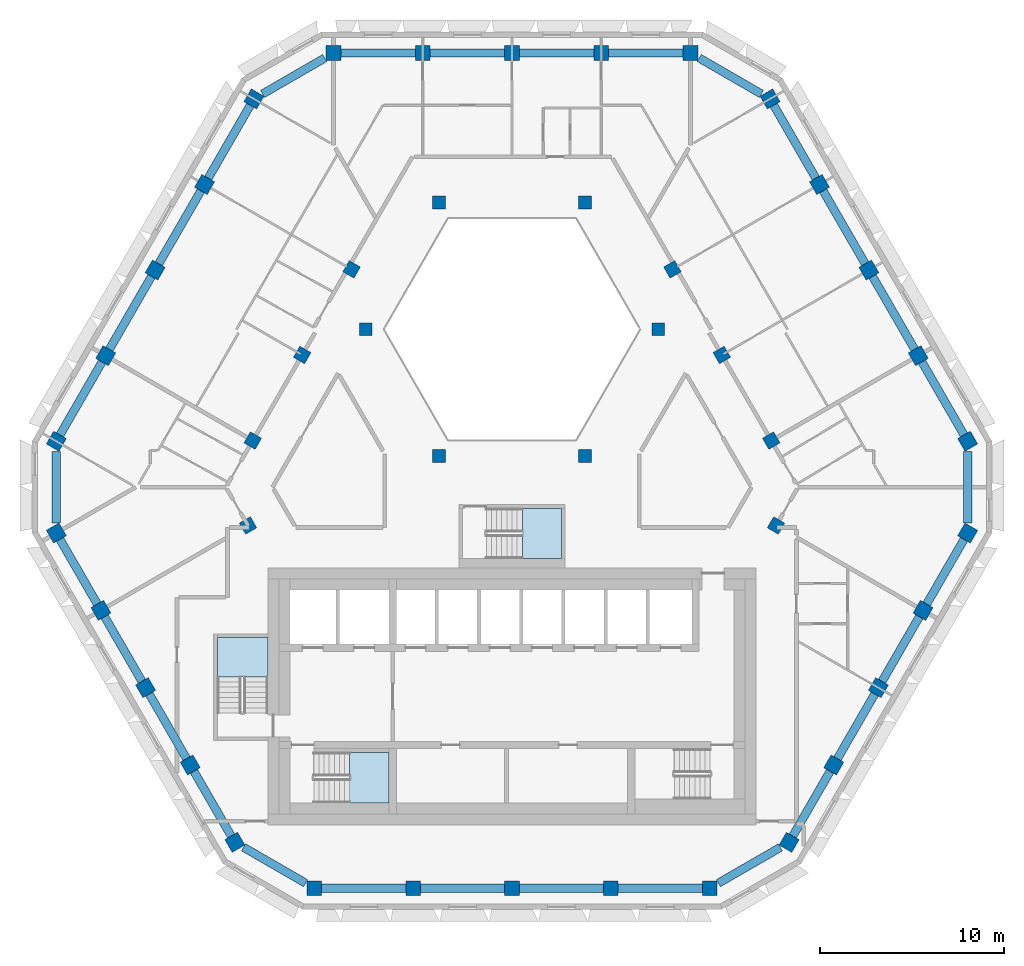
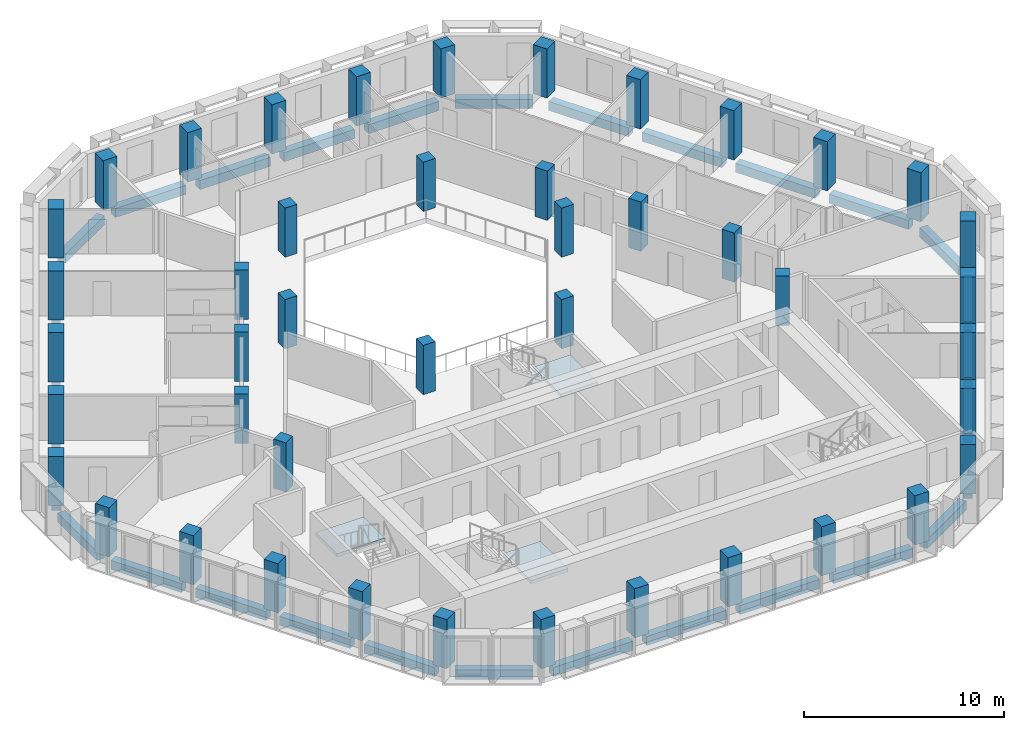
# One storey, part 1 of 14: 44 columns, 30 beams, 3 slabs, 3 elements without a shape of their own.
"""IFC4 building model written with IfcOpenShell, lengths in metres."""

from ifc_helpers import new_model, si_unit, direction, frame, origin, origin_2d, place, context, subcontext, project, spatial, polyline, rectangle, outline, extrude, material, layer, layer_set, material_profile, profile_set, type_object, element, aggregate, save


model = new_model("IFC4")

# Units and contexts
model_context = context("Model", 3, precision=1e-05, world=origin(), true_north=direction((0.0, 1.0)))
body_context = subcontext(model_context, "Body", "Model", "MODEL_VIEW")
ifc_project = project(units=[si_unit("LENGTHUNIT", "METRE"), si_unit("AREAUNIT", "SQUARE_METRE"), si_unit("VOLUMEUNIT", "CUBIC_METRE"), si_unit("PLANEANGLEUNIT", "RADIAN"), si_unit("MASSUNIT", "GRAM", prefix="KILO")], contexts=[model_context])

# Site, building, storey
site_placement = place(None, origin())
site = spatial("IfcSite", under=ifc_project, at=site_placement, CompositionType="ELEMENT")
building_placement = place(site_placement, origin())
building = spatial("IfcBuilding", under=site, at=building_placement, Name="Beryl Residences", CompositionType="ELEMENT")
storey_placement = place(building_placement, frame((0.0, 0.0, 181.199951171875)))
storey = spatial("IfcBuildingStorey", under=building, at=storey_placement, Name="L55", CompositionType="ELEMENT", Elevation=181.199951171875)

# Columns
ifc_material_1 = material(Name="Concrete C50/60", Category="concrete")
ifc_material_profile_1 = material_profile(ifc_material_1, rectangle(XDim=0.800048828125, YDim=0.800048828125, at=origin_2d()))
ifc_profile_set_1 = profile_set([ifc_material_profile_1], Name="Concrete C50/60")
column_type_1 = type_object("IfcColumnType", Name="C4 tube column 800 x 800 C50/60", PredefinedType="COLUMN", material=ifc_profile_set_1)
for number, where, z_axis, x_axis, name in (
    (1, (9.72802734375, 23.050048828125, 0.0), (0.0, 0.0, 1.0), (-1.0, 0.0, 0.0), "C4-N1 L55"),
    (2, (4.864013671875, 23.050048828125, 0.0), (0.0, 0.0, 1.0), (-1.0, 0.0, 0.0), "C4-N2 L55"),
    (3, (0.0, 23.050048828125, 0.0), (0.0, 0.0, 1.0), (-1.0, 0.0, 0.0), "C4-N3 L55"),
    (4, (-4.864013671875, 23.050048828125, 0.0), (0.0, 0.0, 1.0), (-1.0, 0.0, 0.0), "C4-N4 L55"),
    (5, (-9.72802734375, 23.050048828125, 0.0), (0.0, 0.0, 1.0), (-1.0, 0.0, 0.0), "C4-N5 L55"),
    (6, (-14.05810546875, 20.550048828125, 0.0), (0.0, 0.0, 1.0), (-0.5, -0.866025403784, 0.0), "C4-NW1 L55"),
    (7, (-16.75, 15.887939453125, 0.0), (0.0, 0.0, 1.0), (-0.5, -0.866025403784, 0.0), "C4-NW2 L55"),
    (8, (-19.44189453125, 11.22509765625, 0.0), (0.0, 0.0, 1.0), (-0.5, -0.866025403784, 0.0), "C4-NW3 L55"),
    (9, (-22.134033203125, 6.56201171875, 0.0), (0.0, 0.0, 1.0), (-0.5, -0.866025403784, 0.0), "C4-NW4 L55"),
    (10, (-24.825927734375, 1.89990234375, 0.0), (0.0, 0.0, 1.0), (-0.5, -0.866025403784, 0.0), "C4-NW5 L55"),
    (11, (-24.825927734375, -3.09912109375, 0.0), (0.0, 0.0, 1.0), (0.5, -0.866025403784, 0.0), "C4-SW1 L55"),
    (12, (-22.39404296875, -7.31201171875, 0.0), (0.0, 0.0, 1.0), (0.5, -0.866025403784, 0.0), "C4-SW2 L55"),
    (13, (-19.9619140625, -11.52392578125, 0.0), (0.0, 0.0, 1.0), (0.5, -0.866025403784, 0.0), "C4-SW3 L55"),
    (14, (-17.530029296875, -15.736083984375, 0.0), (0.0, 0.0, 1.0), (0.5, -0.866025403784, 0.0), "C4-SW4 L55"),
    (15, (-15.097900390625, -19.948974609375, 0.0), (0.0, 0.0, 1.0), (0.5, -0.866025403784, 0.0), "C4-SW5 L55"),
    (16, (-10.76708984375, -22.449951171875, 0.0), (0.0, 0.0, 1.0), (1.0, 0.0, 0.0), "C4-S1 L55"),
    (17, (-5.383056640625, -22.449951171875, 0.0), (0.0, 0.0, 1.0), (1.0, 0.0, 0.0), "C4-S2 L55"),
    (18, (0.0009765625, -22.449951171875, 0.0), (0.0, 0.0, 1.0), (1.0, 0.0, 0.0), "C4-S3 L55"),
    (19, (5.385009765625, -22.449951171875, 0.0), (0.0, 0.0, 1.0), (1.0, 0.0, 0.0), "C4-S4 L55"),
    (20, (10.76904296875, -22.449951171875, 0.0), (0.0, 0.0, 1.0), (1.0, 0.0, 0.0), "C4-S5 L55"),
    (21, (15.096923828125, -19.950927734375, 0.0), (0.0, 0.0, 1.0), (0.5, 0.866025403784, 0.0), "C4-SE1 L55"),
    (22, (17.529052734375, -15.738037109375, 0.0), (0.0, 0.0, 1.0), (0.5, 0.866025403784, 0.0), "C4-SE2 L55"),
    (23, (19.9609375, -11.52587890625, 0.0), (0.0, 0.0, 1.0), (0.5, 0.866025403784, 0.0), "C4-SE3 L55"),
    (24, (22.39306640625, -7.31396484375, 0.0), (0.0, 0.0, 1.0), (0.5, 0.866025403784, 0.0), "C4-SE4 L55"),
    (25, (24.824951171875, -3.10107421875, 0.0), (0.0, 0.0, 1.0), (0.5, 0.866025403784, 0.0), "C4-SE5 L55"),
    (26, (24.825927734375, 1.89990234375, 0.0), (0.0, 0.0, 1.0), (-0.5, 0.866025403784, 0.0), "C4-NE1 L55"),
    (27, (22.134033203125, 6.56201171875, 0.0), (0.0, 0.0, 1.0), (-0.5, 0.866025403784, 0.0), "C4-NE2 L55"),
    (28, (19.44189453125, 11.22509765625, 0.0), (0.0, 0.0, 1.0), (-0.5, 0.866025403784, 0.0), "C4-NE3 L55"),
    (29, (16.75, 15.887939453125, 0.0), (0.0, 0.0, 1.0), (-0.5, 0.866025403784, 0.0), "C4-NE4 L55"),
    (30, (14.05810546875, 20.550048828125, 0.0), (0.0, 0.0, 1.0), (-0.5, 0.866025403784, 0.0), "C4-NE5 L55"),
):
    element("IfcColumn", number, at=place(storey_placement, frame(where, z_axis=z_axis, x_axis=x_axis)), inside=storey, type_object=column_type_1, Name=name, PredefinedType="COLUMN", context=body_context, shape_type="SweptSolid", body=[
        extrude(rectangle(XDim=0.800048828125, YDim=0.800048828125, at=origin_2d()), origin(), (0.0, 0.0, 1.0), 3.0),
    ])
ifc_material_2 = material(Name="Concrete C50/60", Category="concrete")
ifc_material_profile_2 = material_profile(ifc_material_2, rectangle(XDim=0.699951171875, YDim=0.699951171875, at=origin_2d()))
ifc_profile_set_2 = profile_set([ifc_material_profile_2], Name="Concrete C50/60")
column_type_2 = type_object("IfcColumnType", Name="IC4 interior column 700 x 700 C50/60", PredefinedType="COLUMN", material=ifc_profile_set_2)
for number, where, z_axis, x_axis, name in (
    (31, (-14.383056640625, -2.68701171875, 0.0), (0.0, 0.0, 1.0), (0.5, -0.866025403784, 0.0), "IC4-M01 L55"),
    (32, (14.382080078125, -2.68896484375, 0.0), (0.0, 0.0, 1.0), (0.5, 0.866025403784, 0.0), "IC4-M02 L55"),
    (33, (14.123046875, 1.93701171875, 0.0), (0.0, 0.0, 1.0), (-0.5, 0.866025403784, 0.0), "IC4-M03 L55"),
    (34, (3.98388671875, 1.10009765625, 0.0), (0.0, 0.0, 1.0), (1.0, 0.0, 0.0), "IC4-A04 L55"),
    (35, (11.430908203125, 6.60009765625, 0.0), (0.0, 0.0, 1.0), (-0.5, 0.866025403784, 0.0), "IC4-M05 L55"),
    (36, (7.967041015625, 8.0, 0.0), (0.0, 0.0, 1.0), (1.0, 0.0, 0.0), "IC4-A06 L55"),
    (37, (8.739013671875, 11.262939453125, 0.0), (0.0, 0.0, 1.0), (-0.5, 0.866025403784, 0.0), "IC4-M07 L55"),
    (38, (3.98388671875, 14.89990234375, 0.0), (0.0, 0.0, 1.0), (1.0, 0.0, 0.0), "IC4-A08 L55"),
    (39, (-3.98388671875, 14.89990234375, 0.0), (0.0, 0.0, 1.0), (1.0, 0.0, 0.0), "IC4-A09 L55"),
    (40, (-8.739013671875, 11.262939453125, 0.0), (0.0, 0.0, 1.0), (-0.5, -0.866025403784, 0.0), "IC4-M10 L55"),
    (41, (-7.967041015625, 8.0, 0.0), (0.0, 0.0, 1.0), (1.0, 0.0, 0.0), "IC4-A11 L55"),
    (42, (-11.430908203125, 6.60009765625, 0.0), (0.0, 0.0, 1.0), (-0.5, -0.866025403784, 0.0), "IC4-M12 L55"),
    (43, (-3.98388671875, 1.10009765625, 0.0), (0.0, 0.0, 1.0), (1.0, 0.0, 0.0), "IC4-A13 L55"),
    (44, (-14.123046875, 1.93701171875, 0.0), (0.0, 0.0, 1.0), (-0.5, -0.866025403784, 0.0), "IC4-M14 L55"),
):
    element("IfcColumn", number, at=place(storey_placement, frame(where, z_axis=z_axis, x_axis=x_axis)), inside=storey, type_object=column_type_2, Name=name, PredefinedType="COLUMN", context=body_context, shape_type="SweptSolid", body=[
        extrude(rectangle(XDim=0.699951171875, YDim=0.699951171875, at=origin_2d()), origin(), (0.0, 0.0, 1.0), 3.0),
    ])

# Beams
ifc_material_3 = material(Name="Concrete C50/60", Category="concrete")
ifc_material_profile_3 = material_profile(ifc_material_3, rectangle(XDim=0.449951171875, YDim=0.550048828125, at=origin_2d()))
ifc_profile_set_3 = profile_set([ifc_material_profile_3], Name="Concrete C50/60")
beam_type = type_object("IfcBeamType", Name="SB4 spandrel beam 450 x 550 C50/60", PredefinedType="SPANDREL", material=ifc_profile_set_3)
beam_1_placement = place(storey_placement, frame((9.327880859375, 23.050048828125, -0.574951171875), z_axis=(-1.0, 0.0, 0.0), x_axis=(0.0, -1.0, 0.0)))
element("IfcBeam", 45, at=beam_1_placement, inside=storey, type_object=beam_type, Name="SB4 L55 N-0", PredefinedType="SPANDREL", context=body_context, shape_type="SweptSolid", body=[
    extrude(rectangle(XDim=0.449951171875, YDim=0.550048828125, at=origin_2d()), origin(), (0.0, 0.0, 1.0), 4.06396484375),
])
for number, where, z_axis, x_axis, name in (
    (46, (4.464111328125, 23.050048828125, -0.574951171875), (-1.0, 0.0, 0.0), (0.0, -1.0, 0.0), "SB4 L55 N-1"),
    (47, (-0.39990234375, 23.050048828125, -0.574951171875), (-1.0, 0.0, 0.0), (0.0, -1.0, 0.0), "SB4 L55 N-2"),
):
    element("IfcBeam", number, at=place(storey_placement, frame(where, z_axis=z_axis, x_axis=x_axis)), inside=storey, type_object=beam_type, Name=name, PredefinedType="SPANDREL", context=body_context, shape_type="SweptSolid", body=[
        extrude(rectangle(XDim=0.449951171875, YDim=0.550048828125, at=origin_2d()), origin(), (0.0, 0.0, 1.0), 4.064208984375),
    ])
beam_2_placement = place(storey_placement, frame((-5.263916015625, 23.050048828125, -0.574951171875), z_axis=(-1.0, 0.0, 0.0), x_axis=(0.0, -1.0, 0.0)))
element("IfcBeam", 48, at=beam_2_placement, inside=storey, type_object=beam_type, Name="SB4 L55 N-3", PredefinedType="SPANDREL", context=body_context, shape_type="SweptSolid", body=[
    extrude(rectangle(XDim=0.449951171875, YDim=0.550048828125, at=origin_2d()), origin(), (0.0, 0.0, 1.0), 4.06396484375),
])
beam_3_placement = place(storey_placement, frame((-10.200927734375, 22.777099609375, -0.574951171875), z_axis=(-0.865988935984, -0.500063158763, 0.0), x_axis=(0.500063158763, -0.865988935984, 0.0)))
element("IfcBeam", 49, at=beam_3_placement, inside=storey, type_object=beam_type, Name="SB4 L55 N-4", PredefinedType="SPANDREL", context=body_context, shape_type="SweptSolid", body=[
    extrude(rectangle(XDim=0.449951171875, YDim=0.550048828125, at=origin_2d()), origin(), (0.0, 0.0, 1.0), 3.90771484375),
])
beam_4_placement = place(storey_placement, frame((-14.258056640625, 20.2041015625, -0.574951171875), z_axis=(-0.499965247104, -0.866045467449, 0.0), x_axis=(0.866045467449, -0.499965247104, 0.0)))
element("IfcBeam", 50, at=beam_4_placement, inside=storey, type_object=beam_type, Name="SB4 L55 NW-0", PredefinedType="SPANDREL", context=body_context, shape_type="SweptSolid", body=[
    extrude(rectangle(XDim=0.449951171875, YDim=0.550048828125, at=origin_2d()), origin(), (0.0, 0.0, 1.0), 4.584228515625),
])
for number, where, z_axis, x_axis, name in (
    (51, (-16.949951171875, 15.5419921875, -0.574951171875), (-0.499896077001, -0.866085395443, 0.0), (0.866085395443, -0.499896077001, 0.0), "SB4 L55 NW-1"),
    (52, (-19.64208984375, 10.87890625, -0.574951171875), (-0.499896077001, -0.866085395443, 0.0), (0.866085395443, -0.499896077001, 0.0), "SB4 L55 NW-2"),
):
    element("IfcBeam", number, at=place(storey_placement, frame(where, z_axis=z_axis, x_axis=x_axis)), inside=storey, type_object=beam_type, Name=name, PredefinedType="SPANDREL", context=body_context, shape_type="SweptSolid", body=[
        extrude(rectangle(XDim=0.449951171875, YDim=0.550048828125, at=origin_2d()), origin(), (0.0, 0.0, 1.0), 4.5849609375),
    ])
beam_5_placement = place(storey_placement, frame((-22.333984375, 6.216064453125, -0.574951171875), z_axis=(-0.49998830735, -0.866032154434, 0.0), x_axis=(0.866032154434, -0.49998830735, 0.0)))
element("IfcBeam", 53, at=beam_5_placement, inside=storey, type_object=beam_type, Name="SB4 L55 NW-3", PredefinedType="SPANDREL", context=body_context, shape_type="SweptSolid", body=[
    extrude(rectangle(XDim=0.449951171875, YDim=0.550048828125, at=origin_2d()), origin(), (0.0, 0.0, 1.0), 4.583984375),
])
beam_6_placement = place(storey_placement, frame((-24.825927734375, 1.35400390625, -0.574951171875), z_axis=(0.0, -1.0, 0.0), x_axis=(1.0, 0.0, 0.0)))
element("IfcBeam", 54, at=beam_6_placement, inside=storey, type_object=beam_type, Name="SB4 L55 NW-4", PredefinedType="SPANDREL", context=body_context, shape_type="SweptSolid", body=[
    extrude(rectangle(XDim=0.449951171875, YDim=0.550048828125, at=origin_2d()), origin(), (0.0, 0.0, 1.0), 3.906982421875),
])
beam_7_placement = place(storey_placement, frame((-24.6259765625, -3.445068359375, -0.574951171875), z_axis=(0.499840293234, -0.866117590896, 0.0), x_axis=(0.866117590896, 0.499840293234, 0.0)))
element("IfcBeam", 55, at=beam_7_placement, inside=storey, type_object=beam_type, Name="SB4 L55 SW-0", PredefinedType="SPANDREL", context=body_context, shape_type="SweptSolid", body=[
    extrude(rectangle(XDim=0.449951171875, YDim=0.550048828125, at=origin_2d()), origin(), (0.0, 0.0, 1.0), 4.065185546875),
])
beam_8_placement = place(storey_placement, frame((-22.194091796875, -7.657958984375, -0.574951171875), z_axis=(0.499944307952, -0.866057555216, 0.0), x_axis=(0.866057555216, 0.499944307952, 0.0)))
element("IfcBeam", 56, at=beam_8_placement, inside=storey, type_object=beam_type, Name="SB4 L55 SW-1", PredefinedType="SPANDREL", context=body_context, shape_type="SweptSolid", body=[
    extrude(rectangle(XDim=0.449951171875, YDim=0.550048828125, at=origin_2d()), origin(), (0.0, 0.0, 1.0), 4.064453125),
])
beam_9_placement = place(storey_placement, frame((-19.761962890625, -11.8701171875, -0.574951171875), z_axis=(0.499970317269, -0.866042540439, 0.0), x_axis=(0.866042540439, 0.499970317269, 0.0)))
element("IfcBeam", 57, at=beam_9_placement, inside=storey, type_object=beam_type, Name="SB4 L55 SW-2", PredefinedType="SPANDREL", context=body_context, shape_type="SweptSolid", body=[
    extrude(rectangle(XDim=0.449951171875, YDim=0.550048828125, at=origin_2d()), origin(), (0.0, 0.0, 1.0), 4.064208984375),
])
beam_10_placement = place(storey_placement, frame((-17.330078125, -16.08203125, -0.574951171875), z_axis=(0.499840293234, -0.866117590896, 0.0), x_axis=(0.866117590896, 0.499840293234, 0.0)))
element("IfcBeam", 58, at=beam_10_placement, inside=storey, type_object=beam_type, Name="SB4 L55 SW-3", PredefinedType="SPANDREL", context=body_context, shape_type="SweptSolid", body=[
    extrude(rectangle(XDim=0.449951171875, YDim=0.550048828125, at=origin_2d()), origin(), (0.0, 0.0, 1.0), 4.065185546875),
])
beam_11_placement = place(storey_placement, frame((-14.625, -20.221923828125, -0.574951171875), z_axis=(0.865943218558, -0.500142321977, 0.0), x_axis=(0.500142321977, 0.865943218558, 0.0)))
element("IfcBeam", 59, at=beam_11_placement, inside=storey, type_object=beam_type, Name="SB4 L55 SW-4", PredefinedType="SPANDREL", context=body_context, shape_type="SweptSolid", body=[
    extrude(rectangle(XDim=0.449951171875, YDim=0.550048828125, at=origin_2d()), origin(), (0.0, 0.0, 1.0), 3.908935546875),
])
for number, where, z_axis, x_axis, name in (
    (60, (-10.366943359375, -22.449951171875, -0.574951171875), (1.0, 0.0, 0.0), (0.0, 1.0, 0.0), "SB4 L55 S-0"),
    (61, (-4.98291015625, -22.449951171875, -0.574951171875), (1.0, 0.0, 0.0), (0.0, 1.0, 0.0), "SB4 L55 S-1"),
):
    element("IfcBeam", number, at=place(storey_placement, frame(where, z_axis=z_axis, x_axis=x_axis)), inside=storey, type_object=beam_type, Name=name, PredefinedType="SPANDREL", context=body_context, shape_type="SweptSolid", body=[
        extrude(rectangle(XDim=0.449951171875, YDim=0.550048828125, at=origin_2d()), origin(), (0.0, 0.0, 1.0), 4.583984375),
    ])
beam_12_placement = place(storey_placement, frame((0.40087890625, -22.449951171875, -0.574951171875), z_axis=(1.0, 0.0, 0.0), x_axis=(0.0, 1.0, 0.0)))
element("IfcBeam", 62, at=beam_12_placement, inside=storey, type_object=beam_type, Name="SB4 L55 S-2", PredefinedType="SPANDREL", context=body_context, shape_type="SweptSolid", body=[
    extrude(rectangle(XDim=0.449951171875, YDim=0.550048828125, at=origin_2d()), origin(), (0.0, 0.0, 1.0), 4.584228515625),
])
beam_13_placement = place(storey_placement, frame((5.784912109375, -22.449951171875, -0.574951171875), z_axis=(1.0, 0.0, 0.0), x_axis=(0.0, 1.0, 0.0)))
element("IfcBeam", 63, at=beam_13_placement, inside=storey, type_object=beam_type, Name="SB4 L55 S-3", PredefinedType="SPANDREL", context=body_context, shape_type="SweptSolid", body=[
    extrude(rectangle(XDim=0.449951171875, YDim=0.550048828125, at=origin_2d()), origin(), (0.0, 0.0, 1.0), 4.583984375),
])
beam_14_placement = place(storey_placement, frame((11.241943359375, -22.177001953125, -0.574951171875), z_axis=(0.865999234303, 0.500045324131, 0.0), x_axis=(-0.500045324131, 0.865999234303, 0.0)))
element("IfcBeam", 64, at=beam_14_placement, inside=storey, type_object=beam_type, Name="SB4 L55 S-4", PredefinedType="SPANDREL", context=body_context, shape_type="SweptSolid", body=[
    extrude(rectangle(XDim=0.449951171875, YDim=0.550048828125, at=origin_2d()), origin(), (0.0, 0.0, 1.0), 3.905517578125),
])
beam_15_placement = place(storey_placement, frame((15.297119140625, -19.60498046875, -0.574951171875), z_axis=(0.499840293234, 0.866117590896, 0.0), x_axis=(-0.866117590896, 0.499840293234, 0.0)))
element("IfcBeam", 65, at=beam_15_placement, inside=storey, type_object=beam_type, Name="SB4 L55 SE-0", PredefinedType="SPANDREL", context=body_context, shape_type="SweptSolid", body=[
    extrude(rectangle(XDim=0.449951171875, YDim=0.550048828125, at=origin_2d()), origin(), (0.0, 0.0, 1.0), 4.065185546875),
])
for number, where, z_axis, x_axis, name in (
    (66, (17.72900390625, -15.39208984375, -0.574951171875), (0.499944307952, 0.866057555216, 0.0), (-0.866057555216, 0.499944307952, 0.0), "SB4 L55 SE-1"),
    (67, (20.160888671875, -11.179931640625, -0.574951171875), (0.499989360119, 0.866031546636, 0.0), (-0.866031546636, 0.499989360119, 0.0), "SB4 L55 SE-2"),
):
    element("IfcBeam", number, at=place(storey_placement, frame(where, z_axis=z_axis, x_axis=x_axis)), inside=storey, type_object=beam_type, Name=name, PredefinedType="SPANDREL", context=body_context, shape_type="SweptSolid", body=[
        extrude(rectangle(XDim=0.449951171875, YDim=0.550048828125, at=origin_2d()), origin(), (0.0, 0.0, 1.0), 4.064453125),
    ])
beam_16_placement = place(storey_placement, frame((22.593017578125, -6.968017578125, -0.574951171875), z_axis=(0.499840293234, 0.866117590896, 0.0), x_axis=(-0.866117590896, 0.499840293234, 0.0)))
element("IfcBeam", 68, at=beam_16_placement, inside=storey, type_object=beam_type, Name="SB4 L55 SE-3", PredefinedType="SPANDREL", context=body_context, shape_type="SweptSolid", body=[
    extrude(rectangle(XDim=0.449951171875, YDim=0.550048828125, at=origin_2d()), origin(), (0.0, 0.0, 1.0), 4.065185546875),
])
beam_17_placement = place(storey_placement, frame((24.824951171875, -2.554931640625, -0.574951171875), z_axis=(0.000249828235, 0.999999968793, 0.0), x_axis=(-0.999999968793, 0.000249828235, 0.0)))
element("IfcBeam", 69, at=beam_17_placement, inside=storey, type_object=beam_type, Name="SB4 L55 SE-4", PredefinedType="SPANDREL", context=body_context, shape_type="SweptSolid", body=[
    extrude(rectangle(XDim=0.449951171875, YDim=0.550048828125, at=origin_2d()), origin(), (0.0, 0.0, 1.0), 3.908935546875),
])
beam_18_placement = place(storey_placement, frame((24.6259765625, 2.24609375, -0.574951171875), z_axis=(-0.49998830735, 0.866032154434, 0.0), x_axis=(-0.866032154434, -0.49998830735, 0.0)))
element("IfcBeam", 70, at=beam_18_placement, inside=storey, type_object=beam_type, Name="SB4 L55 NE-0", PredefinedType="SPANDREL", context=body_context, shape_type="SweptSolid", body=[
    extrude(rectangle(XDim=0.449951171875, YDim=0.550048828125, at=origin_2d()), origin(), (0.0, 0.0, 1.0), 4.583984375),
])
for number, where, z_axis, x_axis, name in (
    (71, (21.93408203125, 6.907958984375, -0.574951171875), (-0.499896077001, 0.866085395443, 0.0), (-0.866085395443, -0.499896077001, 0.0), "SB4 L55 NE-1"),
    (72, (19.241943359375, 11.571044921875, -0.574951171875), (-0.499896077001, 0.866085395443, 0.0), (-0.866085395443, -0.499896077001, 0.0), "SB4 L55 NE-2"),
):
    element("IfcBeam", number, at=place(storey_placement, frame(where, z_axis=z_axis, x_axis=x_axis)), inside=storey, type_object=beam_type, Name=name, PredefinedType="SPANDREL", context=body_context, shape_type="SweptSolid", body=[
        extrude(rectangle(XDim=0.449951171875, YDim=0.550048828125, at=origin_2d()), origin(), (0.0, 0.0, 1.0), 4.5849609375),
    ])
beam_19_placement = place(storey_placement, frame((16.550048828125, 16.23388671875, -0.574951171875), z_axis=(-0.499965247104, 0.866045467449, 0.0), x_axis=(-0.866045467449, -0.499965247104, 0.0)))
element("IfcBeam", 73, at=beam_19_placement, inside=storey, type_object=beam_type, Name="SB4 L55 NE-3", PredefinedType="SPANDREL", context=body_context, shape_type="SweptSolid", body=[
    extrude(rectangle(XDim=0.449951171875, YDim=0.550048828125, at=origin_2d()), origin(), (0.0, 0.0, 1.0), 4.584228515625),
])
beam_20_placement = place(storey_placement, frame((13.5849609375, 20.822998046875, -0.574951171875), z_axis=(-0.865988935984, 0.500063158763, 0.0), x_axis=(-0.500063158763, -0.865988935984, 0.0)))
element("IfcBeam", 74, at=beam_20_placement, inside=storey, type_object=beam_type, Name="SB4 L55 NE-4", PredefinedType="SPANDREL", context=body_context, shape_type="SweptSolid", body=[
    extrude(rectangle(XDim=0.449951171875, YDim=0.550048828125, at=origin_2d()), origin(), (0.0, 0.0, 1.0), 3.90771484375),
])

# Stair, slab
ifc_material_4 = material(Name="Concrete C40/50", Category="concrete")
stair_type = type_object("IfcStairType", Name="ST1 protected exit stair, half-turn, 1300 mm flights", PredefinedType="HALF_TURN_STAIR", material=ifc_material_4)
stair_1_placement = place(storey_placement, origin())
stair_1 = element("IfcStair", 75, at=stair_1_placement, inside=storey, type_object=stair_type, Name="L55 PROTECTED EXIT STAIR ST-1", PredefinedType="HALF_TURN_STAIR")
ifc_material_5 = material(Name="Concrete C40/50", Category="concrete")
ifc_layer = layer(ifc_material_5, 0.199951171875)
ifc_layer_set = layer_set([ifc_layer], Name="SLD1 stair landing 200 mm")
slab_type = type_object("IfcSlabType", Name="SLD1 stair landing 200 mm", PredefinedType="LANDING", material=ifc_layer_set)
slab_1_placement = place(storey_placement, frame((0.0, 0.0, 1.300048828125)))
slab_1 = element("IfcSlab", 76, at=slab_1_placement, type_object=slab_type, Name="ST-1 landing 1", PredefinedType="LANDING", context=body_context, shape_type="SweptSolid", body=[
    extrude(outline(polyline([(-8.840087890625, -17.800048828125), (-6.699951171875, -17.800048828125), (-6.699951171875, -15.050048828125), (-8.840087890625, -15.050048828125), (-8.840087890625, -17.800048828125)])), origin(), (0.0, 0.0, 1.0), 0.199951171875),
])
aggregate(stair_1, [slab_1])

stair_2_placement = place(storey_placement, origin())
stair_2 = element("IfcStair", 77, at=stair_2_placement, inside=storey, type_object=stair_type, Name="L55 PROTECTED EXIT STAIR ST-2", PredefinedType="HALF_TURN_STAIR")
slab_2_placement = place(storey_placement, frame((0.0, 0.0, 1.300048828125)))
slab_2 = element("IfcSlab", 78, at=slab_2_placement, type_object=slab_type, Name="ST-2 landing 1", PredefinedType="LANDING", context=body_context, shape_type="SweptSolid", body=[
    extrude(outline(polyline([(-13.300048828125, -10.93994140625), (-13.300048828125, -8.800048828125), (-16.050048828125, -8.800048828125), (-16.050048828125, -10.93994140625), (-13.300048828125, -10.93994140625)])), origin(), (0.0, 0.0, 1.0), 0.199951171875),
])
aggregate(stair_2, [slab_2])

stair_3_placement = place(storey_placement, origin())
stair_3 = element("IfcStair", 79, at=stair_3_placement, inside=storey, type_object=stair_type, Name="L55 PROTECTED EXIT STAIR ST-4", PredefinedType="HALF_TURN_STAIR")
slab_3_placement = place(storey_placement, frame((0.0, 0.0, 1.300048828125)))
slab_3 = element("IfcSlab", 80, at=slab_3_placement, type_object=slab_type, Name="ST-4 landing 1", PredefinedType="LANDING", context=body_context, shape_type="SweptSolid", body=[
    extrude(outline(polyline([(0.56005859375, -4.5), (2.699951171875, -4.5), (2.699951171875, -1.75), (0.56005859375, -1.75), (0.56005859375, -4.5)])), origin(), (0.0, 0.0, 1.0), 0.199951171875),
])
aggregate(stair_3, [slab_3])

save(model, "model.ifc")
